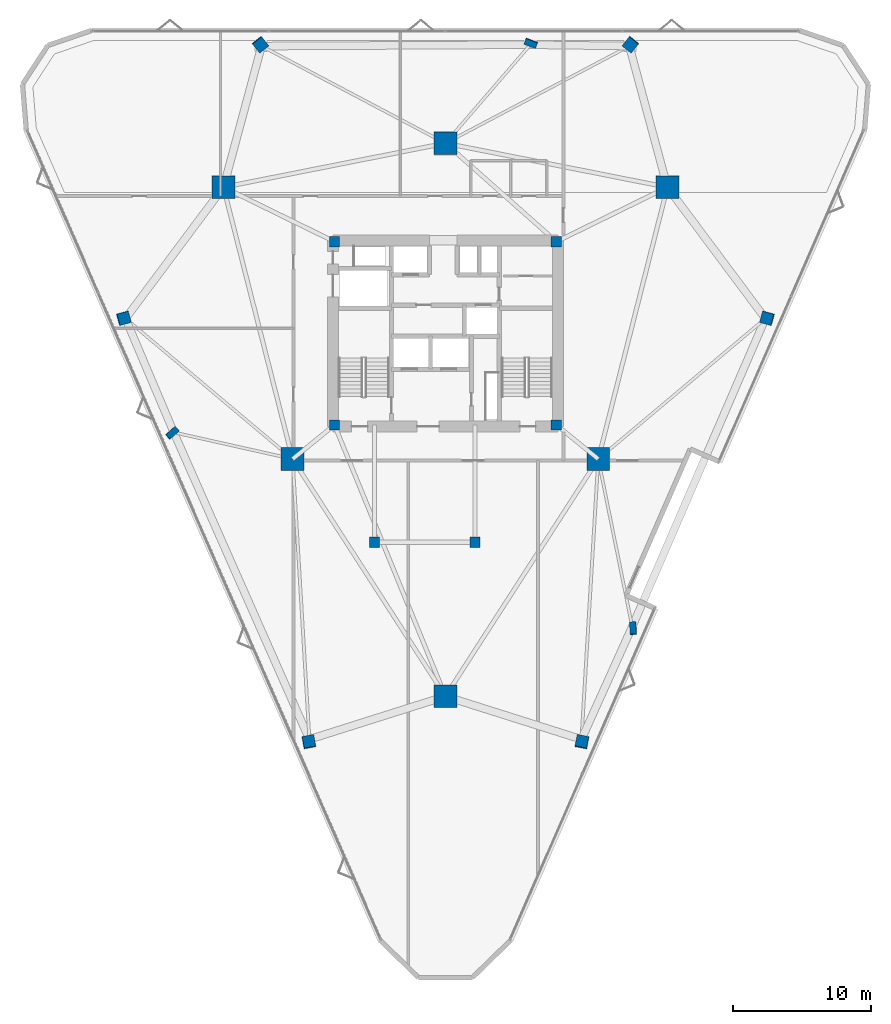
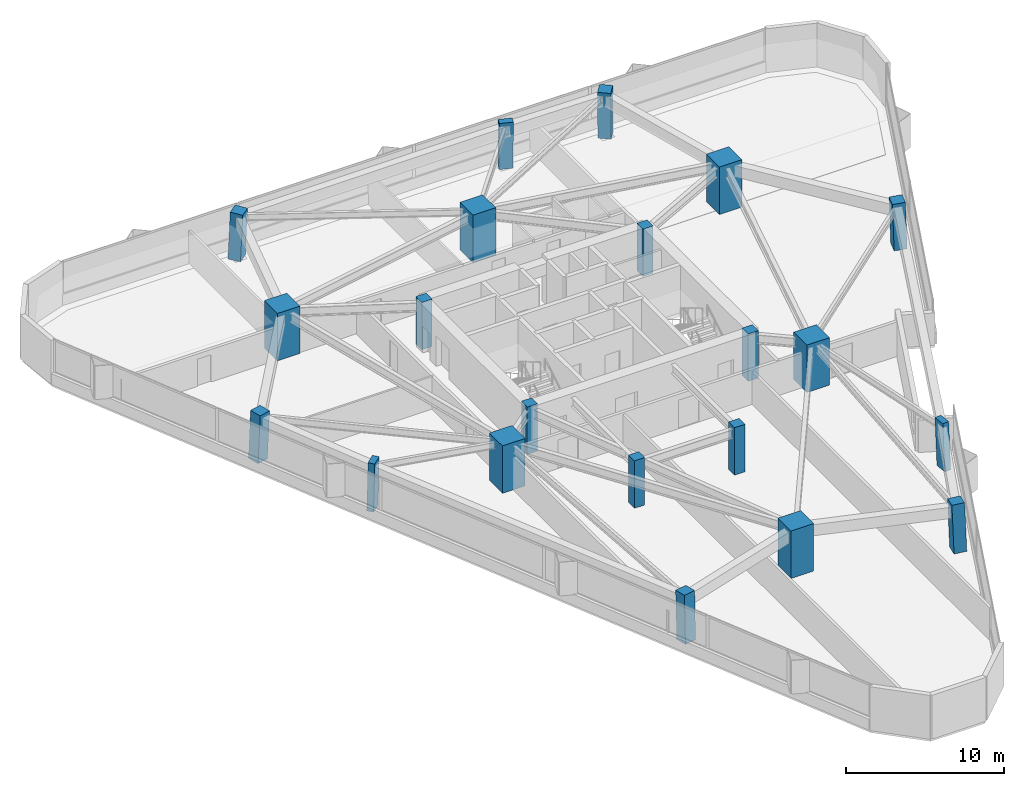
# One storey, part 1 of 15: 21 columns.
"""IFC4 building model written with IfcOpenShell, lengths in metres."""

from ifc_helpers import new_model, si_unit, direction, frame, origin, origin_2d, place, context, subcontext, project, spatial, rectangle, extrude, material, material_profile, profile_set, type_object, element, save


model = new_model("IFC4")

# Units and contexts
model_context = context("Model", 3, precision=1e-05, world=origin(), true_north=direction((0.0, 1.0)))
body_context = subcontext(model_context, "Body", "Model", "MODEL_VIEW")
ifc_project = project(units=[si_unit("LENGTHUNIT", "METRE"), si_unit("AREAUNIT", "SQUARE_METRE"), si_unit("VOLUMEUNIT", "CUBIC_METRE"), si_unit("PLANEANGLEUNIT", "RADIAN"), si_unit("MASSUNIT", "GRAM", prefix="KILO")], contexts=[model_context])

# Site, building, storey
site_placement = place(None, origin())
site = spatial("IfcSite", under=ifc_project, at=site_placement, CompositionType="ELEMENT")
building_placement = place(site_placement, origin())
building = spatial("IfcBuilding", under=site, at=building_placement, Name="Talyreon Biosciences Tower", CompositionType="ELEMENT")
storey_placement = place(building_placement, frame((0.0, 0.0, 100.550048828125)))
storey = spatial("IfcBuildingStorey", under=building, at=storey_placement, Name="L26", CompositionType="ELEMENT", Elevation=100.550048828125)

# Columns
ifc_material_1 = material(Name="Precast concrete C45/55", Category="concrete")
ifc_material_profile_1 = material_profile(ifc_material_1, rectangle(XDim=0.89990234375, YDim=0.449951171875, at=origin_2d()), Name="RC 900x450")
ifc_profile_set_1 = profile_set([ifc_material_profile_1], Name="Precast concrete C45/55")
column_type_1 = type_object("IfcColumnType", Name="FacadePilaster_900x450", PredefinedType="PILASTER", material=ifc_profile_set_1)
column_1_placement = place(storey_placement, frame((79.622802734375, 46.58349609375, 0.0029296875), z_axis=(-0.019612004119, 0.038286915892, 0.999074312234), x_axis=(0.060962136744, -0.997361439685, 0.039417971966)))
element("IfcColumn", 1, at=column_1_placement, inside=storey, type_object=column_type_1, Name="L26 Facade Pilaster PL-SE", PredefinedType="PILASTER", context=body_context, shape_type="SweptSolid", body=[
    extrude(rectangle(XDim=0.89990234375, YDim=0.449951171875, at=origin_2d()), origin(), (0.0, 0.0, 1.0), 3.6474609375),
])
column_2_placement = place(storey_placement, frame((72.2021484375, 89.058837890625, 0.0029296875), z_axis=(-0.01238655289, -0.033544124313, 0.999360478022), x_axis=(-0.9380871136, 0.346399433166, 0.0)))
element("IfcColumn", 2, at=column_2_placement, inside=storey, type_object=column_type_1, Name="L26 Facade Pilaster PL-N", PredefinedType="PILASTER", context=body_context, shape_type="SweptSolid", body=[
    extrude(rectangle(XDim=0.89990234375, YDim=0.449951171875, at=origin_2d()), origin(), (0.0, 0.0, 1.0), 3.646484375),
])
column_3_placement = place(storey_placement, frame((46.175048828125, 60.77587890625, 0.0029296875), z_axis=(0.032006476949, 0.010512587617, 0.999432374368), x_axis=(0.745111384611, 0.66622525347, -0.030869664119)))
element("IfcColumn", 3, at=column_3_placement, inside=storey, type_object=column_type_1, Name="L26 Facade Pilaster PL-SW", PredefinedType="PILASTER", context=body_context, shape_type="SweptSolid", body=[
    extrude(rectangle(XDim=0.89990234375, YDim=0.449951171875, at=origin_2d()), origin(), (0.0, 0.0, 1.0), 3.64599609375),
])
ifc_material_2 = material(Name="Concrete C60/75", Category="concrete")
ifc_material_profile_2 = material_profile(ifc_material_2, rectangle(XDim=1.64990234375, YDim=1.64990234375, at=origin_2d()), Name="RC 1650x1650")
ifc_profile_set_2 = profile_set([ifc_material_profile_2], Name="Concrete C60/75")
column_type_2 = type_object("IfcColumnType", Name="MegaColumn_1650", PredefinedType="COLUMN", material=ifc_profile_set_2)
for number, where, z_axis, x_axis, name in (
    (4, (66.0, 41.6669921875, 0.0), (0.0, 0.0, 1.0), (1.0, 0.0, 0.0), "L26 Composite Mega-Column MC1"),
    (5, (82.102294921875, 78.5986328125, 0.0), (0.0, 0.0, 1.0), (1.0, 0.0, 0.0), "L26 Composite Mega-Column MC2"),
    (6, (49.897705078125, 78.5986328125, 0.0), (0.0, 0.0, 1.0), (1.0, 0.0, 0.0), "L26 Composite Mega-Column MC3"),
    (7, (77.086181640625, 58.88037109375, 0.0), (0.0, 0.0, 1.0), (1.0, 0.0, 0.0), "L26 Composite Mega-Column MC4"),
    (8, (66.0, 81.788818359375, 0.0), (0.0, 0.0, 1.0), (1.0, 0.0, 0.0), "L26 Composite Mega-Column MC5"),
    (9, (54.913818359375, 58.88037109375, 0.0), (0.0, 0.0, 1.0), (1.0, 0.0, 0.0), "L26 Composite Mega-Column MC6"),
):
    element("IfcColumn", number, at=place(storey_placement, frame(where, z_axis=z_axis, x_axis=x_axis)), inside=storey, type_object=column_type_2, Name=name, PredefinedType="COLUMN", context=body_context, shape_type="SweptSolid", body=[
        extrude(rectangle(XDim=1.64990234375, YDim=1.64990234375, at=origin_2d()), origin(), (0.0, 0.0, 1.0), 3.64990234375),
    ])
ifc_material_3 = material(Name="Concrete C50/60", Category="concrete")
ifc_material_profile_3 = material_profile(ifc_material_3, rectangle(XDim=0.75, YDim=0.75, at=origin_2d()), Name="RC 750x750")
ifc_profile_set_3 = profile_set([ifc_material_profile_3], Name="Concrete C50/60")
column_type_3 = type_object("IfcColumnType", Name="PerimeterColumn_750", PredefinedType="COLUMN", material=ifc_profile_set_3)
for number, where, z_axis, x_axis, name in (
    (10, (57.949951171875, 61.35009765625, 0.0), (0.0, 0.0, 1.0), (1.0, 0.0, 0.0), "L26 Core Column CC1"),
    (11, (74.050048828125, 61.35009765625, 0.0), (0.0, 0.0, 1.0), (1.0, 0.0, 0.0), "L26 Core Column CC2"),
    (12, (74.050048828125, 74.64990234375, 0.0), (0.0, 0.0, 1.0), (1.0, 0.0, 0.0), "L26 Core Column CC3"),
    (13, (57.949951171875, 74.64990234375, 0.0), (0.0, 0.0, 1.0), (1.0, 0.0, 0.0), "L26 Core Column CC4"),
    (14, (60.85009765625, 52.840087890625, 0.0), (0.0, 0.0, 1.0), (1.0, 0.0, 0.0), "L26 Core Column CSW"),
    (15, (68.14990234375, 52.840087890625, 0.0), (0.0, 0.0, 1.0), (1.0, 0.0, 0.0), "L26 Core Column CSE"),
):
    element("IfcColumn", number, at=place(storey_placement, frame(where, z_axis=z_axis, x_axis=x_axis)), inside=storey, type_object=column_type_3, Name=name, PredefinedType="COLUMN", context=body_context, shape_type="SweptSolid", body=[
        extrude(rectangle(XDim=0.75, YDim=0.75, at=origin_2d()), origin(), (0.0, 0.0, 1.0), 3.64990234375),
    ])
ifc_material_profile_4 = material_profile(ifc_material_2, rectangle(XDim=0.85009765625, YDim=0.85009765625, at=origin_2d()), Name="RC 850x850")
ifc_profile_set_4 = profile_set([ifc_material_profile_4], Name="Concrete C60/75")
column_type_4 = type_object("IfcColumnType", Name="PerimeterColumn_850", PredefinedType="COLUMN", material=ifc_profile_set_4)
column_4_placement = place(storey_placement, frame((75.913330078125, 38.3447265625, 0.0029296875), z_axis=(-0.012375141264, 0.054450621561, 0.998439775695), x_axis=(-0.187727885484, -0.980887465309, 0.051166604445)))
element("IfcColumn", 16, at=column_4_placement, inside=storey, type_object=column_type_4, Name="L26 Tapering Perimeter Column PC-SE1", PredefinedType="COLUMN", context=body_context, shape_type="SweptSolid", body=[
    extrude(rectangle(XDim=0.85009765625, YDim=0.85009765625, at=origin_2d()), origin(), (0.0, 0.0, 1.0), 3.649658203125),
])
column_5_placement = place(storey_placement, frame((89.351318359375, 69.0947265625, 0.0029296875), z_axis=(-0.039229493406, -0.00569028488, 0.999214024874), x_axis=(0.963601372067, -0.264864184348, 0.036322989975)))
element("IfcColumn", 17, at=column_5_placement, inside=storey, type_object=column_type_4, Name="L26 Tapering Perimeter Column PC-SE2", PredefinedType="COLUMN", context=body_context, shape_type="SweptSolid", body=[
    extrude(rectangle(XDim=0.85009765625, YDim=0.85009765625, at=origin_2d()), origin(), (0.0, 0.0, 1.0), 3.64697265625),
])
for number, where, z_axis, x_axis, name in (
    (18, (79.43798828125, 88.958984375, 0.0029296875), (-0.026841076243, -0.033534611465, 0.999077067328), (-0.780716755404, 0.624885067698, 0.0), "L26 Tapering Perimeter Column PC-N1"),
    (19, (52.56201171875, 88.958984375, 0.0029296875), (0.026841076243, -0.033534611465, 0.999077067328), (-0.780716755404, -0.624885067698, 0.0), "L26 Tapering Perimeter Column PC-N2"),
):
    element("IfcColumn", number, at=place(storey_placement, frame(where, z_axis=z_axis, x_axis=x_axis)), inside=storey, type_object=column_type_4, Name=name, PredefinedType="COLUMN", context=body_context, shape_type="SweptSolid", body=[
        extrude(rectangle(XDim=0.85009765625, YDim=0.85009765625, at=origin_2d()), origin(), (0.0, 0.0, 1.0), 3.6474609375),
    ])
column_6_placement = place(storey_placement, frame((42.648681640625, 69.0947265625, 0.0029296875), z_axis=(0.039229493406, -0.00569028488, 0.999214024874), x_axis=(0.963601372067, 0.264864184348, -0.036322989975)))
element("IfcColumn", 20, at=column_6_placement, inside=storey, type_object=column_type_4, Name="L26 Tapering Perimeter Column PC-SW1", PredefinedType="COLUMN", context=body_context, shape_type="SweptSolid", body=[
    extrude(rectangle(XDim=0.85009765625, YDim=0.85009765625, at=origin_2d()), origin(), (0.0, 0.0, 1.0), 3.64697265625),
])
column_7_placement = place(storey_placement, frame((56.086669921875, 38.3447265625, 0.0029296875), z_axis=(0.012375141264, 0.054450621561, 0.998439775695), x_axis=(-0.187727885484, 0.980887465309, -0.051166604445)))
element("IfcColumn", 21, at=column_7_placement, inside=storey, type_object=column_type_4, Name="L26 Tapering Perimeter Column PC-SW2", PredefinedType="COLUMN", context=body_context, shape_type="SweptSolid", body=[
    extrude(rectangle(XDim=0.85009765625, YDim=0.85009765625, at=origin_2d()), origin(), (0.0, 0.0, 1.0), 3.649658203125),
])

save(model, "model.ifc")
